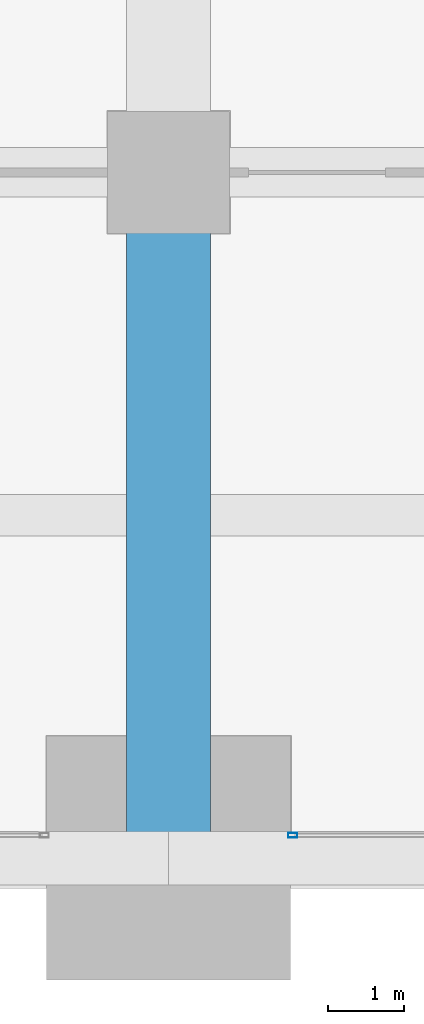
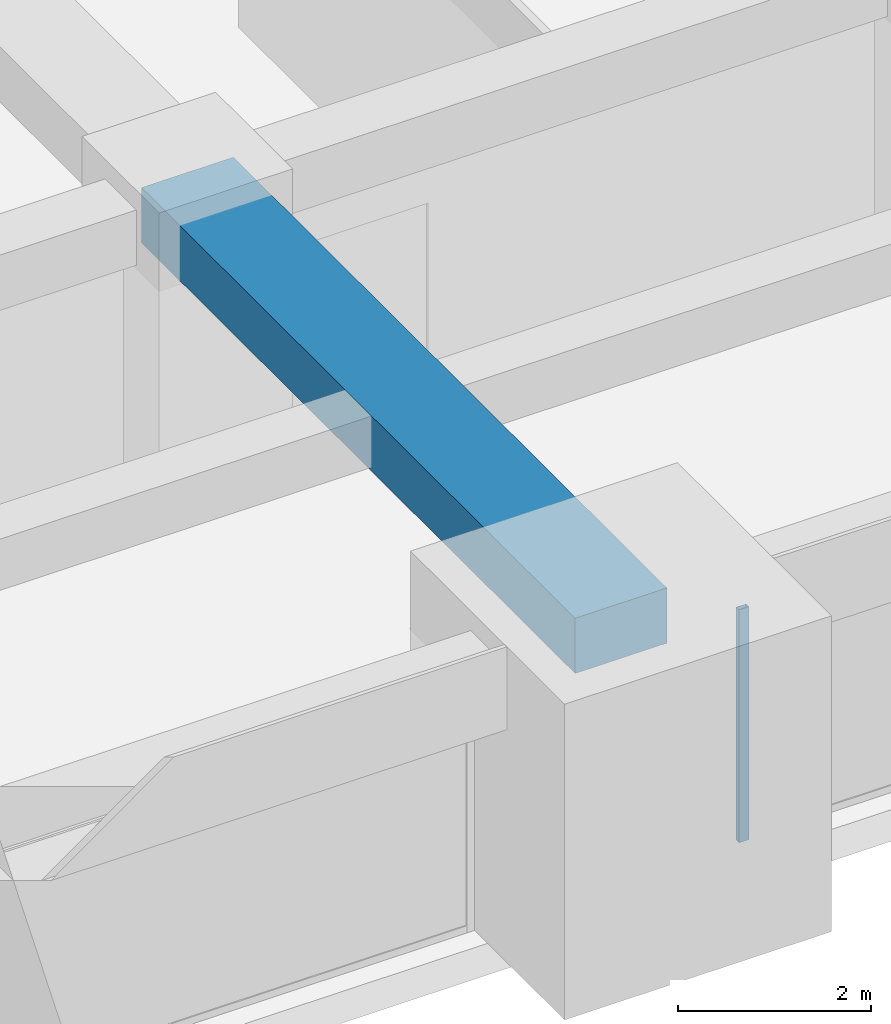
# One storey, part 8 of 40: 1 beam, 1 member, 1 element without a shape of its own.
"""IFC4 building model written with IfcOpenShell, lengths in metres."""

from ifc_helpers import new_model, si_unit, direction, frame, origin, origin_2d, place, context, subcontext, project, spatial, rectangle, hollow_rectangle, extrude, material, material_profile, profile_set, type_object, element, aggregate, save


model = new_model("IFC4")

# Units and contexts
model_context = context("Model", 3, precision=1e-05, world=origin(), true_north=direction((0.0, 1.0)))
body_context = subcontext(model_context, "Body", "Model", "MODEL_VIEW")
ifc_project = project(units=[si_unit("LENGTHUNIT", "METRE"), si_unit("AREAUNIT", "SQUARE_METRE"), si_unit("VOLUMEUNIT", "CUBIC_METRE"), si_unit("PLANEANGLEUNIT", "RADIAN"), si_unit("MASSUNIT", "GRAM", prefix="KILO")], contexts=[model_context])

# Site, building, storey
site_placement = place(None, origin())
site = spatial("IfcSite", under=ifc_project, at=site_placement, CompositionType="ELEMENT")
building_placement = place(site_placement, origin())
building = spatial("IfcBuilding", under=site, at=building_placement, Name="Zorevar Civic Tower", CompositionType="ELEMENT")
storey_placement = place(building_placement, frame((0.0, 0.0, 239.39990234375)))
storey = spatial("IfcBuildingStorey", under=building, at=storey_placement, Name="L58", CompositionType="ELEMENT", Elevation=239.39990234375)

# Beam
ifc_material_1 = material(Name="Concrete C50/60", Category="concrete")
ifc_material_profile_1 = material_profile(ifc_material_1, rectangle(XDim=1.10009765625, YDim=0.699951171875, at=origin_2d()), Name="RC 1100x700")
ifc_profile_set_1 = profile_set([ifc_material_profile_1], Name="Concrete C50/60")
beam_type = type_object("IfcBeamType", Name="Beam RC 1100x700", PredefinedType="BEAM", material=ifc_profile_set_1)
beam_placement = place(storey_placement, frame((27.0, 0.0, 3.400146484375), z_axis=(0.0, 1.0, 0.0), x_axis=(-1.0, 0.0, 0.0)))
element("IfcBeam", 1, at=beam_placement, inside=storey, type_object=beam_type, Name="Girder L59", PredefinedType="BEAM", context=body_context, shape_type="SweptSolid", body=[
    extrude(rectangle(XDim=1.10009765625, YDim=0.699951171875, at=origin_2d()), origin(), (0.0, 0.0, 1.0), 9.0),
])

# Curtain wall, member
ifc_material_2 = material(Name="Dark grey solar-control glass in black aluminium frame", Category="aluminium")
curtain_wall_type = type_object("IfcCurtainWallType", Name="Curtain wall CW5 top zone", PredefinedType="NOTDEFINED", material=ifc_material_2)
curtain_wall_placement = place(storey_placement, origin())
curtain_wall = element("IfcCurtainWall", 2, at=curtain_wall_placement, inside=storey, type_object=curtain_wall_type, Name="CW5 L58", PredefinedType="NOTDEFINED")
ifc_material_3 = material(Name="Aluminium, black anodised", Category="aluminium")
ifc_material_profile_2 = material_profile(ifc_material_3, hollow_rectangle(XDim=0.06005859375, YDim=0.1201171875, WallThickness=0.0029296875, at=origin_2d()), Name="AL 120x60x3")
ifc_profile_set_2 = profile_set([ifc_material_profile_2], Name="Aluminium, black anodised")
member_type = type_object("IfcMemberType", Name="CW5 mullion AL 120x60x3", PredefinedType="MULLION", material=ifc_profile_set_2)
member_placement = place(storey_placement, frame((28.6298828125, 0.300048828125, 0.0), z_axis=(0.0, 0.0, 1.0), x_axis=(0.0, 1.0, 0.0)))
member = element("IfcMember", 3, at=member_placement, type_object=member_type, Name="CW5 mullion 1", PredefinedType="MULLION", context=body_context, shape_type="SweptSolid", body=[
    extrude(hollow_rectangle(XDim=0.06005859375, YDim=0.1201171875, WallThickness=0.0029296875, at=origin_2d()), origin(), (0.0, 0.0, 1.0), 2.9501953125),
])
aggregate(curtain_wall, [member])

save(model, "model.ifc")
